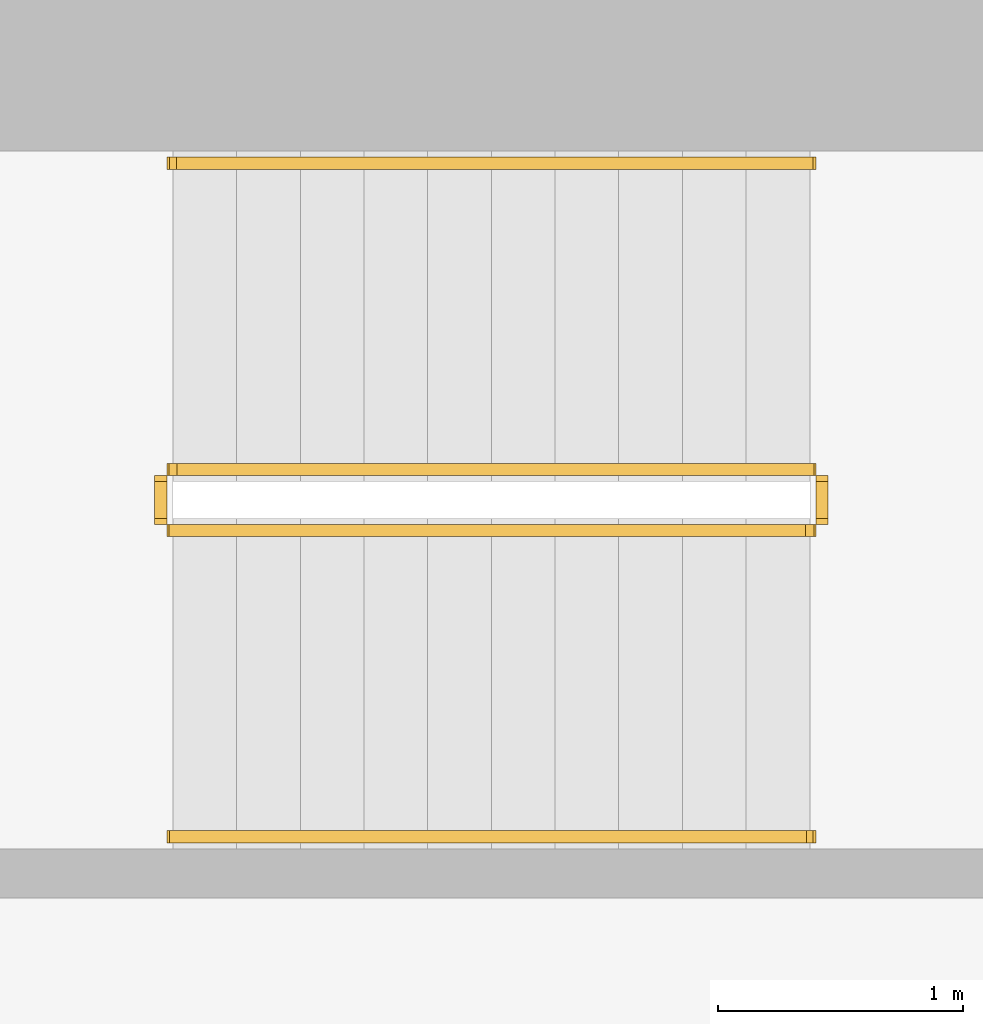
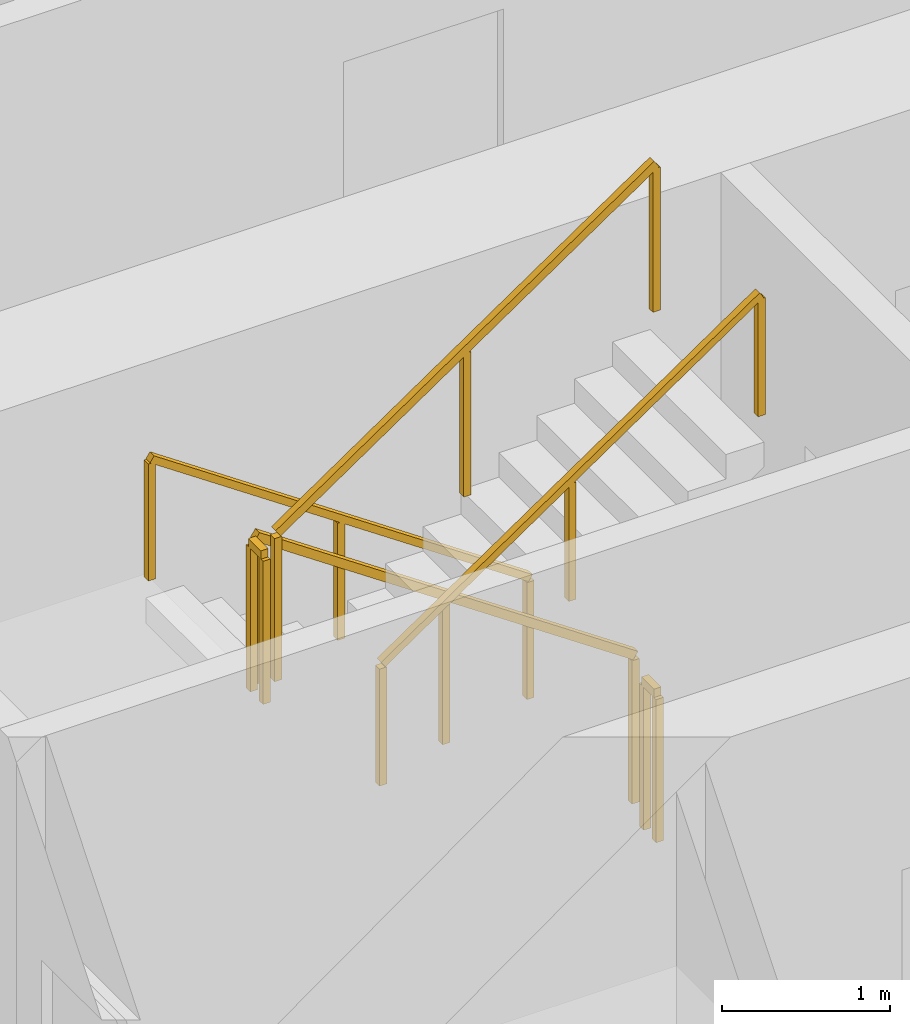
# One storey, part 14 of 15: 6 railings.
"""IFC4 building model written with IfcOpenShell, lengths in metres."""

from ifc_helpers import new_model, si_unit, direction, frame, origin, origin_2d, place, context, subcontext, project, spatial, rectangle, extrude, material, type_object, element, save


model = new_model("IFC4")

# Units and contexts
model_context = context("Model", 3, precision=1e-05, world=origin(), true_north=direction((0.0, 1.0)))
body_context = subcontext(model_context, "Body", "Model", "MODEL_VIEW")
ifc_project = project(units=[si_unit("LENGTHUNIT", "METRE"), si_unit("AREAUNIT", "SQUARE_METRE"), si_unit("VOLUMEUNIT", "CUBIC_METRE"), si_unit("PLANEANGLEUNIT", "RADIAN"), si_unit("MASSUNIT", "GRAM", prefix="KILO")], contexts=[model_context])

# Site, building, storey
site_placement = place(None, origin())
site = spatial("IfcSite", under=ifc_project, at=site_placement, CompositionType="ELEMENT")
building_placement = place(site_placement, origin())
building = spatial("IfcBuilding", under=site, at=building_placement, Name="Khepri Terraces", CompositionType="ELEMENT")
storey_placement = place(building_placement, frame((0.0, 0.0, 223.5)))
storey = spatial("IfcBuildingStorey", under=building, at=storey_placement, Name="L53", CompositionType="ELEMENT", Elevation=223.5)

# Railings
ifc_material = material(Name="Stainless steel 316", Category="steel")
railing_type_1 = type_object("IfcRailingType", Name="RL-CORE-GUARD", PredefinedType="GUARDRAIL", material=ifc_material)
railing_1_placement = place(storey_placement, frame((-0.25, 8.800048828125, 0.17724609375)))
element("IfcRailing", 1, at=railing_1_placement, inside=storey, type_object=railing_type_1, Name="L53 ST-3 stair guard 1", PredefinedType="GUARDRAIL", context=body_context, shape_type="SweptSolid", body=[
    extrude(rectangle(XDim=0.050048828125, YDim=0.06005859375, at=origin_2d()), frame((0.0, 0.0, 1.070068359375), z_axis=(-0.826240473404, 0.0, 0.563317565952), x_axis=(0.0, -1.0, 0.0)), (0.0, 0.0, 1.0), 3.14697265625),
    extrude(rectangle(XDim=0.050048828125, YDim=0.050048828125, at=origin_2d()), origin(), (0.0, 0.0, 1.0), 1.0400390625),
    extrude(rectangle(XDim=0.050048828125, YDim=0.050048828125, at=origin_2d()), frame((-1.300048828125, 0.0, 0.88623046875)), (0.0, 0.0, 1.0), 1.0400390625),
    extrude(rectangle(XDim=0.050048828125, YDim=0.050048828125, at=origin_2d()), frame((-2.60009765625, 0.0, 1.772705078125)), (0.0, 0.0, 1.0), 1.0400390625),
])
railing_2_placement = place(storey_placement, frame((-2.89990234375, 8.75, 1.949951171875)))
element("IfcRailing", 2, at=railing_2_placement, inside=storey, type_object=railing_type_1, Name="L53 ST-3 stair guard 2", PredefinedType="GUARDRAIL", context=body_context, shape_type="SweptSolid", body=[
    extrude(rectangle(XDim=0.050048828125, YDim=0.06005859375, at=origin_2d()), frame((0.0, 0.0, 1.070068359375), z_axis=(0.0, -1.0, 0.0), x_axis=(1.0, 0.0, 0.0)), (0.0, 0.0, 1.0), 0.14990234375),
    extrude(rectangle(XDim=0.050048828125, YDim=0.050048828125, at=origin_2d()), origin(), (0.0, 0.0, 1.0), 1.0400390625),
    extrude(rectangle(XDim=0.050048828125, YDim=0.050048828125, at=origin_2d()), frame((0.0, -0.14990234375, 0.0)), (0.0, 0.0, 1.0), 1.0400390625),
])
railing_3_placement = place(storey_placement, frame((-2.85009765625, 8.550048828125, 2.127197265625)))
element("IfcRailing", 3, at=railing_3_placement, inside=storey, type_object=railing_type_1, Name="L53 ST-3 stair guard 3", PredefinedType="GUARDRAIL", context=body_context, shape_type="SweptSolid", body=[
    extrude(rectangle(XDim=0.050048828125, YDim=0.06005859375, at=origin_2d()), frame((0.0, 0.0, 1.070068359375), z_axis=(0.826240473404, 0.0, 0.563317565952), x_axis=(0.0, 1.0, 0.0)), (0.0, 0.0, 1.0), 3.14697265625),
    extrude(rectangle(XDim=0.050048828125, YDim=0.050048828125, at=origin_2d()), origin(), (0.0, 0.0, 1.0), 1.0400390625),
    extrude(rectangle(XDim=0.050048828125, YDim=0.050048828125, at=origin_2d()), frame((1.300048828125, 0.0, 0.88623046875)), (0.0, 0.0, 1.0), 1.0400390625),
    extrude(rectangle(XDim=0.050048828125, YDim=0.050048828125, at=origin_2d()), frame((2.60009765625, 0.0, 1.772705078125)), (0.0, 0.0, 1.0), 1.0400390625),
])
railing_4_placement = place(storey_placement, frame((-0.199951171875, 8.75, 0.0)))
element("IfcRailing", 4, at=railing_4_placement, inside=storey, type_object=railing_type_1, Name="L53 ST-3 stair guard 4", PredefinedType="GUARDRAIL", context=body_context, shape_type="SweptSolid", body=[
    extrude(rectangle(XDim=0.050048828125, YDim=0.06005859375, at=origin_2d()), frame((0.0, 0.0, 1.070068359375), z_axis=(0.0, -1.0, 0.0), x_axis=(1.0, 0.0, 0.0)), (0.0, 0.0, 1.0), 0.14990234375),
    extrude(rectangle(XDim=0.050048828125, YDim=0.050048828125, at=origin_2d()), origin(), (0.0, 0.0, 1.0), 1.0400390625),
    extrude(rectangle(XDim=0.050048828125, YDim=0.050048828125, at=origin_2d()), frame((0.0, -0.14990234375, 0.0)), (0.0, 0.0, 1.0), 1.0400390625),
])
railing_type_2 = type_object("IfcRailingType", Name="RL-CORE-HANDRAIL", PredefinedType="HANDRAIL", material=ifc_material)
railing_5_placement = place(storey_placement, frame((-0.25, 10.050048828125, 0.17724609375)))
element("IfcRailing", 5, at=railing_5_placement, inside=storey, type_object=railing_type_2, Name="L53 ST-3 stair handrail 1", PredefinedType="HANDRAIL", context=body_context, shape_type="SweptSolid", body=[
    extrude(rectangle(XDim=0.050048828125, YDim=0.050048828125, at=origin_2d()), frame((0.0, 0.0, 0.875), z_axis=(-0.826240473404, 0.0, 0.563317565952), x_axis=(0.0, -1.0, 0.0)), (0.0, 0.0, 1.0), 3.14697265625),
    extrude(rectangle(XDim=0.050048828125, YDim=0.050048828125, at=origin_2d()), origin(), (0.0, 0.0, 1.0), 0.849853515625),
    extrude(rectangle(XDim=0.050048828125, YDim=0.050048828125, at=origin_2d()), frame((-1.300048828125, 0.0, 0.88623046875)), (0.0, 0.0, 1.0), 0.849853515625),
    extrude(rectangle(XDim=0.050048828125, YDim=0.050048828125, at=origin_2d()), frame((-2.60009765625, 0.0, 1.772705078125)), (0.0, 0.0, 1.0), 0.849853515625),
])
railing_6_placement = place(storey_placement, frame((-2.85009765625, 7.300048828125, 2.127197265625)))
element("IfcRailing", 6, at=railing_6_placement, inside=storey, type_object=railing_type_2, Name="L53 ST-3 stair handrail 2", PredefinedType="HANDRAIL", context=body_context, shape_type="SweptSolid", body=[
    extrude(rectangle(XDim=0.050048828125, YDim=0.050048828125, at=origin_2d()), frame((0.0, 0.0, 0.875), z_axis=(0.826240473404, 0.0, 0.563317565952), x_axis=(0.0, 1.0, 0.0)), (0.0, 0.0, 1.0), 3.14697265625),
    extrude(rectangle(XDim=0.050048828125, YDim=0.050048828125, at=origin_2d()), origin(), (0.0, 0.0, 1.0), 0.849853515625),
    extrude(rectangle(XDim=0.050048828125, YDim=0.050048828125, at=origin_2d()), frame((1.300048828125, 0.0, 0.88623046875)), (0.0, 0.0, 1.0), 0.849853515625),
    extrude(rectangle(XDim=0.050048828125, YDim=0.050048828125, at=origin_2d()), frame((2.60009765625, 0.0, 1.772705078125)), (0.0, 0.0, 1.0), 0.849853515625),
])

save(model, "model.ifc")
